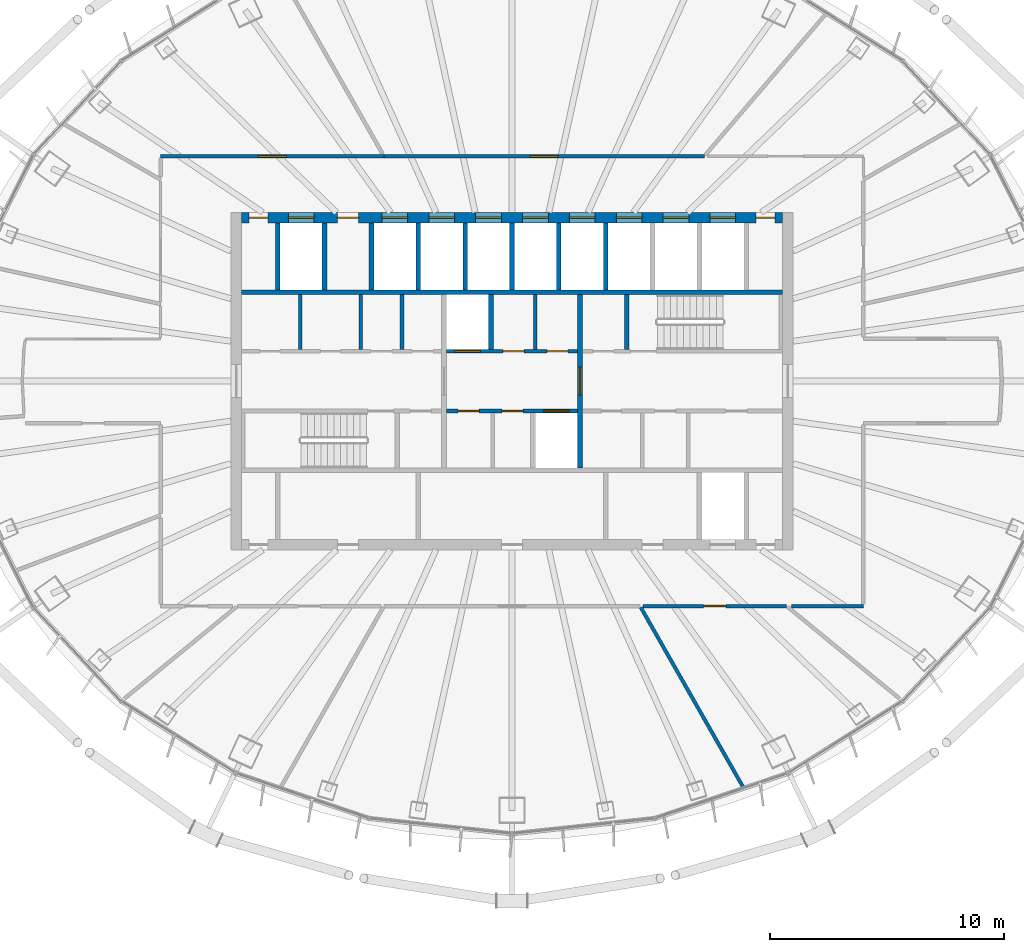
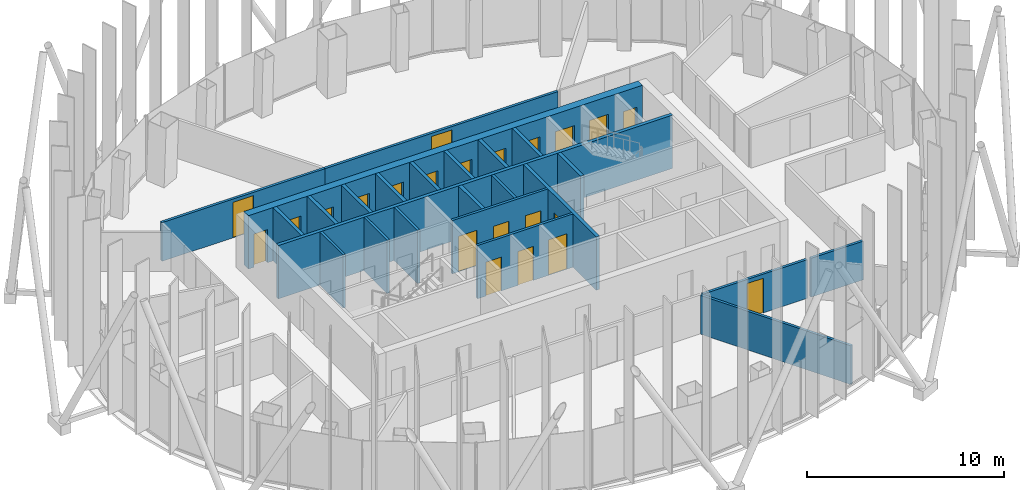
# One storey, part 10 of 19: 24 walls, 22 doors, 22 openings.
"""IFC4 building model written with IfcOpenShell, lengths in metres."""

from ifc_helpers import new_model, si_unit, direction, frame, frame_2d, origin, place, context, subcontext, project, spatial, rectangle, extrude, material, layer, layer_set, type_object, element, fill, save


model = new_model("IFC4")

# Units and contexts
model_context = context("Model", 3, precision=1e-05, world=origin(), true_north=direction((0.0, 1.0)))
body_context = subcontext(model_context, "Body", "Model", "MODEL_VIEW")
ifc_project = project(units=[si_unit("LENGTHUNIT", "METRE"), si_unit("AREAUNIT", "SQUARE_METRE"), si_unit("VOLUMEUNIT", "CUBIC_METRE"), si_unit("PLANEANGLEUNIT", "RADIAN"), si_unit("MASSUNIT", "GRAM", prefix="KILO")], contexts=[model_context])

# Site, building, storey
site_placement = place(None, origin())
site = spatial("IfcSite", under=ifc_project, at=site_placement, CompositionType="ELEMENT")
building_placement = place(site_placement, origin())
building = spatial("IfcBuilding", under=site, at=building_placement, Name="Siaravel Broadcast Tower", CompositionType="ELEMENT")
storey_placement = place(building_placement, frame((0.0, 0.0, 168.199951171875)))
storey = spatial("IfcBuildingStorey", under=building, at=storey_placement, Name="L40", CompositionType="ELEMENT", Elevation=168.199951171875)

# Walls
ifc_material_1 = material(Name="Concrete blockwork", Category="masonry")
ifc_layer_1 = layer(ifc_material_1, 0.14990234375)
ifc_layer_set_1 = layer_set([ifc_layer_1], Name="Concrete blockwork")
wall_type_1 = type_object("IfcWallType", Name="Core partition 150", PredefinedType="PARTITIONING", material=ifc_layer_set_1)
for number, where, z_axis, x_axis, name in (
    (1, (-9.044921875, 1.35009765625, 0.0), (0.0, 0.0, 1.0), (0.0, 1.0, 0.0), "L40 core partition PNW0"),
    (2, (-6.465087890625, 1.35009765625, 0.0), (0.0, 0.0, 1.0), (0.0, 1.0, 0.0), "L40 core partition PNW1"),
    (3, (-4.695068359375, 1.35009765625, 0.0), (0.0, 0.0, 1.0), (0.0, 1.0, 0.0), "L40 core partition PNW2"),
    (4, (1.0, 1.35009765625, 0.0), (0.0, 0.0, 1.0), (0.0, 1.0, 0.0), "L40 core partition PNM0"),
):
    element("IfcWall", number, at=place(storey_placement, frame(where, z_axis=z_axis, x_axis=x_axis)), inside=storey, type_object=wall_type_1, Name=name, PredefinedType="PARTITIONING", context=body_context, shape_type="SweptSolid", body=[
        extrude(rectangle(XDim=2.349853515625, YDim=0.14990234375, at=frame_2d((1.1748046875, 0.0))), origin(), (0.0, 0.0, 1.0), 3.300048828125),
    ])

# Wall, openings, doors
ifc_material_2 = material(Name="Concrete C60/75", Category="concrete")
ifc_layer_2 = layer(ifc_material_2, 0.449951171875)
ifc_layer_set_2 = layer_set([ifc_layer_2], Name="Concrete C60/75")
wall_type_2 = type_object("IfcWallType", Name="Core wall 450", PredefinedType="SHEAR", material=ifc_layer_set_2)
wall_1_placement = place(storey_placement, frame((-11.550048828125, 6.97509765625, 0.0), z_axis=(0.0, 0.0, 1.0), x_axis=(1.0, 0.0, 0.0)))
wall_1 = element("IfcWall", 5, at=wall_1_placement, inside=storey, type_object=wall_type_2, Name="L40 core wall ON", PredefinedType="SHEAR", context=body_context, shape_type="SweptSolid", body=[
    extrude(rectangle(XDim=23.10009765625, YDim=0.449951171875, at=frame_2d((11.550048828125, 0.0))), origin(), (0.0, 0.0, 1.0), 3.300048828125),
])
opening_1_placement = place(wall_1_placement, frame((2.0, 0.0, 0.0)))
opening_1 = element("IfcOpeningElement", 6, at=opening_1_placement, cuts=wall_1, Name="Opening LD-SV2-L40", PredefinedType="OPENING", context=body_context, shape_type="SweptSolid", body=[
    extrude(rectangle(XDim=1.10009765625, YDim=2.199951171875, at=frame_2d((0.550048828125, 1.10009765625))), frame((0.0, 0.23486328125, 0.0), z_axis=(0.0, -1.0, 0.0), x_axis=(1.0, 0.0, 0.0)), (0.0, 0.0, 1.0), 0.469970703125),
])
opening_2_placement = place(wall_1_placement, frame((6.0, 0.0, 0.0)))
opening_2 = element("IfcOpeningElement", 7, at=opening_2_placement, cuts=wall_1, Name="Opening LD-HP1-L40", PredefinedType="OPENING", context=body_context, shape_type="SweptSolid", body=[
    extrude(rectangle(XDim=1.10009765625, YDim=2.199951171875, at=frame_2d((0.550048828125, 1.10009765625))), frame((0.0, 0.23486328125, 0.0), z_axis=(0.0, -1.0, 0.0), x_axis=(1.0, 0.0, 0.0)), (0.0, 0.0, 1.0), 0.469970703125),
])
opening_3_placement = place(wall_1_placement, frame((8.0, 0.0, 0.0)))
opening_3 = element("IfcOpeningElement", 8, at=opening_3_placement, cuts=wall_1, Name="Opening LD-HP2-L40", PredefinedType="OPENING", context=body_context, shape_type="SweptSolid", body=[
    extrude(rectangle(XDim=1.10009765625, YDim=2.199951171875, at=frame_2d((0.550048828125, 1.10009765625))), frame((0.0, 0.23486328125, 0.0), z_axis=(0.0, -1.0, 0.0), x_axis=(1.0, 0.0, 0.0)), (0.0, 0.0, 1.0), 0.469970703125),
])
opening_4_placement = place(wall_1_placement, frame((10.0, 0.0, 0.0)))
opening_4 = element("IfcOpeningElement", 9, at=opening_4_placement, cuts=wall_1, Name="Opening LD-HP3-L40", PredefinedType="OPENING", context=body_context, shape_type="SweptSolid", body=[
    extrude(rectangle(XDim=1.10009765625, YDim=2.199951171875, at=frame_2d((0.550048828125, 1.10009765625))), frame((0.0, 0.23486328125, 0.0), z_axis=(0.0, -1.0, 0.0), x_axis=(1.0, 0.0, 0.0)), (0.0, 0.0, 1.0), 0.469970703125),
])
opening_5_placement = place(wall_1_placement, frame((12.0, 0.0, 0.0)))
opening_5 = element("IfcOpeningElement", 10, at=opening_5_placement, cuts=wall_1, Name="Opening LD-HP4-L40", PredefinedType="OPENING", context=body_context, shape_type="SweptSolid", body=[
    extrude(rectangle(XDim=1.10009765625, YDim=2.199951171875, at=frame_2d((0.550048828125, 1.10009765625))), frame((0.0, 0.23486328125, 0.0), z_axis=(0.0, -1.0, 0.0), x_axis=(1.0, 0.0, 0.0)), (0.0, 0.0, 1.0), 0.469970703125),
])
opening_6_placement = place(wall_1_placement, frame((14.0, 0.0, 0.0)))
opening_6 = element("IfcOpeningElement", 11, at=opening_6_placement, cuts=wall_1, Name="Opening LD-HP5-L40", PredefinedType="OPENING", context=body_context, shape_type="SweptSolid", body=[
    extrude(rectangle(XDim=1.10009765625, YDim=2.199951171875, at=frame_2d((0.550048828125, 1.10009765625))), frame((0.0, 0.23486328125, 0.0), z_axis=(0.0, -1.0, 0.0), x_axis=(1.0, 0.0, 0.0)), (0.0, 0.0, 1.0), 0.469970703125),
])
opening_7_placement = place(wall_1_placement, frame((16.0, 0.0, 0.0)))
opening_7 = element("IfcOpeningElement", 12, at=opening_7_placement, cuts=wall_1, Name="Opening LD-HP6-L40", PredefinedType="OPENING", context=body_context, shape_type="SweptSolid", body=[
    extrude(rectangle(XDim=1.10009765625, YDim=2.199951171875, at=frame_2d((0.550048828125, 1.10009765625))), frame((0.0, 0.23486328125, 0.0), z_axis=(0.0, -1.0, 0.0), x_axis=(1.0, 0.0, 0.0)), (0.0, 0.0, 1.0), 0.469970703125),
])
opening_8_placement = place(wall_1_placement, frame((18.0, 0.0, 0.0)))
opening_8 = element("IfcOpeningElement", 13, at=opening_8_placement, cuts=wall_1, Name="Opening LD-HP7-L40", PredefinedType="OPENING", context=body_context, shape_type="SweptSolid", body=[
    extrude(rectangle(XDim=1.10009765625, YDim=2.199951171875, at=frame_2d((0.550048828125, 1.10009765625))), frame((0.0, 0.23486328125, 0.0), z_axis=(0.0, -1.0, 0.0), x_axis=(1.0, 0.0, 0.0)), (0.0, 0.0, 1.0), 0.469970703125),
])
opening_9_placement = place(wall_1_placement, frame((20.0, 0.0, 0.0)))
opening_9 = element("IfcOpeningElement", 14, at=opening_9_placement, cuts=wall_1, Name="Opening LD-HP8-L40", PredefinedType="OPENING", context=body_context, shape_type="SweptSolid", body=[
    extrude(rectangle(XDim=1.10009765625, YDim=2.199951171875, at=frame_2d((0.550048828125, 1.10009765625))), frame((0.0, 0.23486328125, 0.0), z_axis=(0.0, -1.0, 0.0), x_axis=(1.0, 0.0, 0.0)), (0.0, 0.0, 1.0), 0.469970703125),
])
opening_10_placement = place(wall_1_placement, frame((4.10009765625, 0.0, 0.0)))
opening_10 = element("IfcOpeningElement", 15, at=opening_10_placement, cuts=wall_1, Name="Opening L40-DFN1", PredefinedType="OPENING", context=body_context, shape_type="SweptSolid", body=[
    extrude(rectangle(XDim=0.89990234375, YDim=2.10009765625, at=frame_2d((0.449951171875, 1.050048828125))), frame((0.0, 0.23486328125, 0.0), z_axis=(0.0, -1.0, 0.0), x_axis=(1.0, 0.0, 0.0)), (0.0, 0.0, 1.0), 0.469970703125),
])
opening_11_placement = place(wall_1_placement, frame((0.324951171875, 0.0, 0.0)))
opening_11 = element("IfcOpeningElement", 16, at=opening_11_placement, cuts=wall_1, Name="Opening L40-DRNW", PredefinedType="OPENING", context=body_context, shape_type="SweptSolid", body=[
    extrude(rectangle(XDim=0.800048828125, YDim=2.050048828125, at=frame_2d((0.39990234375, 1.02490234375))), frame((0.0, 0.23486328125, 0.0), z_axis=(0.0, -1.0, 0.0), x_axis=(1.0, 0.0, 0.0)), (0.0, 0.0, 1.0), 0.469970703125),
])
opening_12_placement = place(wall_1_placement, frame((21.97509765625, 0.0, 0.0)))
opening_12 = element("IfcOpeningElement", 17, at=opening_12_placement, cuts=wall_1, Name="Opening L40-DRNE", PredefinedType="OPENING", context=body_context, shape_type="SweptSolid", body=[
    extrude(rectangle(XDim=0.800048828125, YDim=2.050048828125, at=frame_2d((0.39990234375, 1.02490234375))), frame((0.0, 0.23486328125, 0.0), z_axis=(0.0, -1.0, 0.0), x_axis=(1.0, 0.0, 0.0)), (0.0, 0.0, 1.0), 0.469970703125),
])
ifc_material_3 = material(Name="Timber veneer", Category="wood")
door_type_1 = type_object("IfcDoorType", Name="Core room door 900", OperationType="SINGLE_SWING_LEFT", PredefinedType="DOOR", material=ifc_material_3)
door_1_placement = place(opening_10_placement, origin())
door_1 = element("IfcDoor", 18, at=door_1_placement, inside=storey, type_object=door_type_1, Name="L40 door DFN1", OperationType="SINGLE_SWING_LEFT", OverallHeight=2.10009765625, OverallWidth=0.89990234375, PredefinedType="DOOR", context=body_context, shape_type="SweptSolid", body=[
    extrude(rectangle(XDim=0.89990234375, YDim=2.10009765625, at=frame_2d((0.449951171875, 1.050048828125))), frame((0.0, 0.02490234375, 0.0), z_axis=(0.0, -1.0, 0.0), x_axis=(1.0, 0.0, 0.0)), (0.0, 0.0, 1.0), 0.050048828125),
])
fill(opening_10, door_1)
ifc_material_4 = material(Name="Stainless steel 316L", Category="steel")
door_type_2 = type_object("IfcDoorType", Name="Lift landing door 1100", OperationType="DOUBLE_DOOR_SLIDING", PredefinedType="DOOR", material=ifc_material_4)
door_2_placement = place(opening_2_placement, origin())
door_2 = element("IfcDoor", 19, at=door_2_placement, inside=storey, type_object=door_type_2, Name="Landing door HP1 L40", OperationType="DOUBLE_DOOR_SLIDING", OverallHeight=2.199951171875, OverallWidth=1.10009765625, PredefinedType="DOOR", context=body_context, shape_type="SweptSolid", body=[
    extrude(rectangle(XDim=1.10009765625, YDim=2.199951171875, at=frame_2d((0.550048828125, 1.10009765625))), frame((0.0, 0.02490234375, 0.0), z_axis=(0.0, -1.0, 0.0), x_axis=(1.0, 0.0, 0.0)), (0.0, 0.0, 1.0), 0.050048828125),
])
fill(opening_2, door_2)
door_3_placement = place(opening_3_placement, origin())
door_3 = element("IfcDoor", 20, at=door_3_placement, inside=storey, type_object=door_type_2, Name="Landing door HP2 L40", OperationType="DOUBLE_DOOR_SLIDING", OverallHeight=2.199951171875, OverallWidth=1.10009765625, PredefinedType="DOOR", context=body_context, shape_type="SweptSolid", body=[
    extrude(rectangle(XDim=1.10009765625, YDim=2.199951171875, at=frame_2d((0.550048828125, 1.10009765625))), frame((0.0, 0.02490234375, 0.0), z_axis=(0.0, -1.0, 0.0), x_axis=(1.0, 0.0, 0.0)), (0.0, 0.0, 1.0), 0.050048828125),
])
fill(opening_3, door_3)
door_4_placement = place(opening_4_placement, origin())
door_4 = element("IfcDoor", 21, at=door_4_placement, inside=storey, type_object=door_type_2, Name="Landing door HP3 L40", OperationType="DOUBLE_DOOR_SLIDING", OverallHeight=2.199951171875, OverallWidth=1.10009765625, PredefinedType="DOOR", context=body_context, shape_type="SweptSolid", body=[
    extrude(rectangle(XDim=1.10009765625, YDim=2.199951171875, at=frame_2d((0.550048828125, 1.10009765625))), frame((0.0, 0.02490234375, 0.0), z_axis=(0.0, -1.0, 0.0), x_axis=(1.0, 0.0, 0.0)), (0.0, 0.0, 1.0), 0.050048828125),
])
fill(opening_4, door_4)
door_5_placement = place(opening_5_placement, origin())
door_5 = element("IfcDoor", 22, at=door_5_placement, inside=storey, type_object=door_type_2, Name="Landing door HP4 L40", OperationType="DOUBLE_DOOR_SLIDING", OverallHeight=2.199951171875, OverallWidth=1.10009765625, PredefinedType="DOOR", context=body_context, shape_type="SweptSolid", body=[
    extrude(rectangle(XDim=1.10009765625, YDim=2.199951171875, at=frame_2d((0.550048828125, 1.10009765625))), frame((0.0, 0.02490234375, 0.0), z_axis=(0.0, -1.0, 0.0), x_axis=(1.0, 0.0, 0.0)), (0.0, 0.0, 1.0), 0.050048828125),
])
fill(opening_5, door_5)
door_6_placement = place(opening_6_placement, origin())
door_6 = element("IfcDoor", 23, at=door_6_placement, inside=storey, type_object=door_type_2, Name="Landing door HP5 L40", OperationType="DOUBLE_DOOR_SLIDING", OverallHeight=2.199951171875, OverallWidth=1.10009765625, PredefinedType="DOOR", context=body_context, shape_type="SweptSolid", body=[
    extrude(rectangle(XDim=1.10009765625, YDim=2.199951171875, at=frame_2d((0.550048828125, 1.10009765625))), frame((0.0, 0.02490234375, 0.0), z_axis=(0.0, -1.0, 0.0), x_axis=(1.0, 0.0, 0.0)), (0.0, 0.0, 1.0), 0.050048828125),
])
fill(opening_6, door_6)
door_7_placement = place(opening_7_placement, origin())
door_7 = element("IfcDoor", 24, at=door_7_placement, inside=storey, type_object=door_type_2, Name="Landing door HP6 L40", OperationType="DOUBLE_DOOR_SLIDING", OverallHeight=2.199951171875, OverallWidth=1.10009765625, PredefinedType="DOOR", context=body_context, shape_type="SweptSolid", body=[
    extrude(rectangle(XDim=1.10009765625, YDim=2.199951171875, at=frame_2d((0.550048828125, 1.10009765625))), frame((0.0, 0.02490234375, 0.0), z_axis=(0.0, -1.0, 0.0), x_axis=(1.0, 0.0, 0.0)), (0.0, 0.0, 1.0), 0.050048828125),
])
fill(opening_7, door_7)
door_8_placement = place(opening_8_placement, origin())
door_8 = element("IfcDoor", 25, at=door_8_placement, inside=storey, type_object=door_type_2, Name="Landing door HP7 L40", OperationType="DOUBLE_DOOR_SLIDING", OverallHeight=2.199951171875, OverallWidth=1.10009765625, PredefinedType="DOOR", context=body_context, shape_type="SweptSolid", body=[
    extrude(rectangle(XDim=1.10009765625, YDim=2.199951171875, at=frame_2d((0.550048828125, 1.10009765625))), frame((0.0, 0.02490234375, 0.0), z_axis=(0.0, -1.0, 0.0), x_axis=(1.0, 0.0, 0.0)), (0.0, 0.0, 1.0), 0.050048828125),
])
fill(opening_8, door_8)
door_9_placement = place(opening_9_placement, origin())
door_9 = element("IfcDoor", 26, at=door_9_placement, inside=storey, type_object=door_type_2, Name="Landing door HP8 L40", OperationType="DOUBLE_DOOR_SLIDING", OverallHeight=2.199951171875, OverallWidth=1.10009765625, PredefinedType="DOOR", context=body_context, shape_type="SweptSolid", body=[
    extrude(rectangle(XDim=1.10009765625, YDim=2.199951171875, at=frame_2d((0.550048828125, 1.10009765625))), frame((0.0, 0.02490234375, 0.0), z_axis=(0.0, -1.0, 0.0), x_axis=(1.0, 0.0, 0.0)), (0.0, 0.0, 1.0), 0.050048828125),
])
fill(opening_9, door_9)
ifc_material_5 = material(Name="Steel", Category="steel")
door_type_3 = type_object("IfcDoorType", Name="Riser door 800", OperationType="SINGLE_SWING_LEFT", PredefinedType="DOOR", material=ifc_material_5)
door_10_placement = place(opening_11_placement, origin())
door_10 = element("IfcDoor", 27, at=door_10_placement, inside=storey, type_object=door_type_3, Name="L40 door DRNW", OperationType="SINGLE_SWING_LEFT", OverallHeight=2.050048828125, OverallWidth=0.800048828125, PredefinedType="DOOR", context=body_context, shape_type="SweptSolid", body=[
    extrude(rectangle(XDim=0.800048828125, YDim=2.050048828125, at=frame_2d((0.39990234375, 1.02490234375))), frame((0.0, 0.02490234375, 0.0), z_axis=(0.0, -1.0, 0.0), x_axis=(1.0, 0.0, 0.0)), (0.0, 0.0, 1.0), 0.050048828125),
])
fill(opening_11, door_10)
door_11_placement = place(opening_12_placement, origin())
door_11 = element("IfcDoor", 28, at=door_11_placement, inside=storey, type_object=door_type_3, Name="L40 door DRNE", OperationType="SINGLE_SWING_LEFT", OverallHeight=2.050048828125, OverallWidth=0.800048828125, PredefinedType="DOOR", context=body_context, shape_type="SweptSolid", body=[
    extrude(rectangle(XDim=0.800048828125, YDim=2.050048828125, at=frame_2d((0.39990234375, 1.02490234375))), frame((0.0, 0.02490234375, 0.0), z_axis=(0.0, -1.0, 0.0), x_axis=(1.0, 0.0, 0.0)), (0.0, 0.0, 1.0), 0.050048828125),
])
fill(opening_12, door_11)
door_type_4 = type_object("IfcDoorType", Name="Service lift landing door 1100", OperationType="DOUBLE_DOOR_SLIDING", PredefinedType="DOOR", material=ifc_material_4)
door_12_placement = place(opening_1_placement, origin())
door_12 = element("IfcDoor", 29, at=door_12_placement, inside=storey, type_object=door_type_4, Name="Landing door SV2 L40", OperationType="DOUBLE_DOOR_SLIDING", OverallHeight=2.199951171875, OverallWidth=1.10009765625, PredefinedType="DOOR", context=body_context, shape_type="SweptSolid", body=[
    extrude(rectangle(XDim=1.10009765625, YDim=2.199951171875, at=frame_2d((0.550048828125, 1.10009765625))), frame((0.0, 0.02490234375, 0.0), z_axis=(0.0, -1.0, 0.0), x_axis=(1.0, 0.0, 0.0)), (0.0, 0.0, 1.0), 0.050048828125),
])
fill(opening_1, door_12)

# Wall, opening, door
ifc_material_6 = material(Name="Gypsum board partition", Category="gypsum")
ifc_layer_3 = layer(ifc_material_6, 0.14990234375)
ifc_layer_set_3 = layer_set([ifc_layer_3], Name="Gypsum board partition")
wall_type_3 = type_object("IfcWallType", Name="Corridor wall 150", PredefinedType="PARTITIONING", material=ifc_layer_set_3)
wall_2_placement = place(storey_placement, frame((8.206298828125, 9.60009765625, 0.0), z_axis=(0.0, 0.0, 1.0), x_axis=(-1.0, 0.0, 0.0)))
wall_2 = element("IfcWall", 30, at=wall_2_placement, inside=storey, type_object=wall_type_3, Name="L40 partition 1", PredefinedType="PARTITIONING", context=body_context, shape_type="SweptSolid", body=[
    extrude(rectangle(XDim=13.67138671875, YDim=0.14990234375, at=frame_2d((6.835693359375, 0.0))), origin(), (0.0, 0.0, 1.0), 2.400146484375),
])
opening_13_placement = place(wall_2_placement, frame((6.23583984375, 0.0, 0.0)))
opening_13 = element("IfcOpeningElement", 31, at=opening_13_placement, cuts=wall_2, Name="Opening L40-008", PredefinedType="OPENING", context=body_context, shape_type="SweptSolid", body=[
    extrude(rectangle(XDim=1.199951171875, YDim=2.199951171875, at=frame_2d((0.60009765625, 1.10009765625))), frame((0.0, 0.0849609375, 0.0), z_axis=(0.0, -1.0, 0.0), x_axis=(1.0, 0.0, 0.0)), (0.0, 0.0, 1.0), 0.169921875),
])
door_type_5 = type_object("IfcDoorType", Name="Office double door 1200", OperationType="DOUBLE_DOOR_SINGLE_SWING", PredefinedType="DOOR", material=ifc_material_3)
door_13_placement = place(opening_13_placement, origin())
door_13 = element("IfcDoor", 32, at=door_13_placement, inside=storey, type_object=door_type_5, Name="L40 door to Open plan office", OperationType="DOUBLE_DOOR_SINGLE_SWING", OverallHeight=2.199951171875, OverallWidth=1.199951171875, PredefinedType="DOOR", context=body_context, shape_type="SweptSolid", body=[
    extrude(rectangle(XDim=1.199951171875, YDim=2.199951171875, at=frame_2d((0.60009765625, 1.10009765625))), frame((0.0, 0.02490234375, 0.0), z_axis=(0.0, -1.0, 0.0), x_axis=(1.0, 0.0, 0.0)), (0.0, 0.0, 1.0), 0.050048828125),
])
fill(opening_13, door_13)

wall_3_placement = place(storey_placement, frame((-5.46630859375, 9.60009765625, 0.0), z_axis=(0.0, 0.0, 1.0), x_axis=(-1.0, 0.0, 0.0)))
wall_3 = element("IfcWall", 33, at=wall_3_placement, inside=storey, type_object=wall_type_3, Name="L40 partition 3", PredefinedType="PARTITIONING", context=body_context, shape_type="SweptSolid", body=[
    extrude(rectangle(XDim=9.53369140625, YDim=0.14990234375, at=frame_2d((4.766845703125, 0.0))), origin(), (0.0, 0.0, 1.0), 2.400146484375),
])
opening_14_placement = place(wall_3_placement, frame((4.1669921875, 0.0, 0.0)))
opening_14 = element("IfcOpeningElement", 34, at=opening_14_placement, cuts=wall_3, Name="Opening L40-009", PredefinedType="OPENING", context=body_context, shape_type="SweptSolid", body=[
    extrude(rectangle(XDim=1.199951171875, YDim=2.199951171875, at=frame_2d((0.60009765625, 1.10009765625))), frame((0.0, 0.0849609375, 0.0), z_axis=(0.0, -1.0, 0.0), x_axis=(1.0, 0.0, 0.0)), (0.0, 0.0, 1.0), 0.169921875),
])
door_14_placement = place(opening_14_placement, origin())
door_14 = element("IfcDoor", 35, at=door_14_placement, inside=storey, type_object=door_type_5, Name="L40 door to Open plan office", OperationType="DOUBLE_DOOR_SINGLE_SWING", OverallHeight=2.199951171875, OverallWidth=1.199951171875, PredefinedType="DOOR", context=body_context, shape_type="SweptSolid", body=[
    extrude(rectangle(XDim=1.199951171875, YDim=2.199951171875, at=frame_2d((0.60009765625, 1.10009765625))), frame((0.0, 0.02490234375, 0.0), z_axis=(0.0, -1.0, 0.0), x_axis=(1.0, 0.0, 0.0)), (0.0, 0.0, 1.0), 0.050048828125),
])
fill(opening_14, door_14)

wall_4_placement = place(storey_placement, frame((5.59619140625, -9.60009765625, 0.0), z_axis=(0.0, 0.0, 1.0), x_axis=(1.0, 0.0, 0.0)))
wall_4 = element("IfcWall", 36, at=wall_4_placement, inside=storey, type_object=wall_type_3, Name="L40 partition 13", PredefinedType="PARTITIONING", context=body_context, shape_type="SweptSolid", body=[
    extrude(rectangle(XDim=6.123779296875, YDim=0.14990234375, at=frame_2d((3.06201171875, 0.0))), origin(), (0.0, 0.0, 1.0), 2.400146484375),
])
opening_15_placement = place(wall_4_placement, frame((2.5869140625, 0.0, 0.0)))
opening_15 = element("IfcOpeningElement", 37, at=opening_15_placement, cuts=wall_4, Name="Opening L40-003", PredefinedType="OPENING", context=body_context, shape_type="SweptSolid", body=[
    extrude(rectangle(XDim=0.949951171875, YDim=2.14990234375, at=frame_2d((0.47509765625, 1.074951171875))), frame((0.0, 0.0849609375, 0.0), z_axis=(0.0, -1.0, 0.0), x_axis=(1.0, 0.0, 0.0)), (0.0, 0.0, 1.0), 0.169921875),
])
door_type_6 = type_object("IfcDoorType", Name="Office door 950", OperationType="SINGLE_SWING_LEFT", PredefinedType="DOOR", material=ifc_material_3)
door_15_placement = place(opening_15_placement, origin())
door_15 = element("IfcDoor", 38, at=door_15_placement, inside=storey, type_object=door_type_6, Name="L40 door to Office", OperationType="SINGLE_SWING_LEFT", OverallHeight=2.14990234375, OverallWidth=0.949951171875, PredefinedType="DOOR", context=body_context, shape_type="SweptSolid", body=[
    extrude(rectangle(XDim=0.949951171875, YDim=2.14990234375, at=frame_2d((0.47509765625, 1.074951171875))), frame((0.0, 0.02490234375, 0.0), z_axis=(0.0, -1.0, 0.0), x_axis=(1.0, 0.0, 0.0)), (0.0, 0.0, 1.0), 0.050048828125),
])
fill(opening_15, door_15)

# Walls
wall_5_placement = place(storey_placement, frame((11.931884765625, -9.60009765625, 0.0), z_axis=(0.0, 0.0, 1.0), x_axis=(1.0, 0.0, 0.0)))
element("IfcWall", 39, at=wall_5_placement, inside=storey, type_object=wall_type_3, Name="L40 partition 27", PredefinedType="PARTITIONING", context=body_context, shape_type="SweptSolid", body=[
    extrude(rectangle(XDim=3.068115234375, YDim=0.14990234375, at=frame_2d((1.5341796875, 0.0))), origin(), (0.0, 0.0, 1.0), 2.400146484375),
])
ifc_layer_4 = layer(ifc_material_6, 0.14990234375)
ifc_layer_set_4 = layer_set([ifc_layer_4], Name="Gypsum board partition")
wall_type_4 = type_object("IfcWallType", Name="Room partition 150", PredefinedType="PARTITIONING", material=ifc_layer_set_4)
wall_6_placement = place(storey_placement, frame((9.88330078125, -17.360595703125, 0.0), z_axis=(0.0, 0.0, 1.0), x_axis=(-0.494758879, 0.869030294, 0.0)))
element("IfcWall", 40, at=wall_6_placement, inside=storey, type_object=wall_type_4, Name="L40 partition 6", PredefinedType="PARTITIONING", context=body_context, shape_type="SweptSolid", body=[
    extrude(rectangle(XDim=8.863037109375, YDim=0.14990234375, at=frame_2d((4.431640625, 0.0))), origin(), (0.0, 0.0, 1.0), 2.400146484375),
])

# Wall, openings, doors
ifc_layer_5 = layer(ifc_material_2, 0.14990234375)
ifc_layer_set_5 = layer_set([ifc_layer_5], Name="Concrete C60/75")
wall_type_5 = type_object("IfcWallType", Name="Shaft wall 150", PredefinedType="SHEAR", material=ifc_layer_set_5)
wall_7_placement = place(storey_placement, frame((-2.800048828125, -1.27490234375, 0.0), z_axis=(0.0, 0.0, 1.0), x_axis=(1.0, 0.0, 0.0)))
wall_7 = element("IfcWall", 41, at=wall_7_placement, inside=storey, type_object=wall_type_5, Name="L40 core wall CSM", PredefinedType="SHEAR", context=body_context, shape_type="SweptSolid", body=[
    extrude(rectangle(XDim=5.60009765625, YDim=0.14990234375, at=frame_2d((2.800048828125, 0.0))), origin(), (0.0, 0.0, 1.0), 3.300048828125),
])
opening_16_placement = place(wall_7_placement, frame((4.14990234375, 0.0, 0.0)))
opening_16 = element("IfcOpeningElement", 42, at=opening_16_placement, cuts=wall_7, Name="Opening LD-FL2-L40", PredefinedType="OPENING", context=body_context, shape_type="SweptSolid", body=[
    extrude(rectangle(XDim=1.10009765625, YDim=2.199951171875, at=frame_2d((0.550048828125, 1.10009765625))), frame((0.0, 0.0849609375, 0.0), z_axis=(0.0, -1.0, 0.0), x_axis=(1.0, 0.0, 0.0)), (0.0, 0.0, 1.0), 0.169921875),
])
opening_17_placement = place(wall_7_placement, frame((0.498779296875, 0.0, 0.0)))
opening_17 = element("IfcOpeningElement", 43, at=opening_17_placement, cuts=wall_7, Name="Opening L40-DSM0", PredefinedType="OPENING", context=body_context, shape_type="SweptSolid", body=[
    extrude(rectangle(XDim=0.89990234375, YDim=2.10009765625, at=frame_2d((0.449951171875, 1.050048828125))), frame((0.0, 0.0849609375, 0.0), z_axis=(0.0, -1.0, 0.0), x_axis=(1.0, 0.0, 0.0)), (0.0, 0.0, 1.0), 0.169921875),
])
opening_18_placement = place(wall_7_placement, frame((2.373779296875, 0.0, 0.0)))
opening_18 = element("IfcOpeningElement", 44, at=opening_18_placement, cuts=wall_7, Name="Opening L40-DSM1", PredefinedType="OPENING", context=body_context, shape_type="SweptSolid", body=[
    extrude(rectangle(XDim=0.89990234375, YDim=2.10009765625, at=frame_2d((0.449951171875, 1.050048828125))), frame((0.0, 0.0849609375, 0.0), z_axis=(0.0, -1.0, 0.0), x_axis=(1.0, 0.0, 0.0)), (0.0, 0.0, 1.0), 0.169921875),
])
door_16_placement = place(opening_17_placement, origin())
door_16 = element("IfcDoor", 45, at=door_16_placement, inside=storey, type_object=door_type_1, Name="L40 door DSM0", OperationType="SINGLE_SWING_LEFT", OverallHeight=2.10009765625, OverallWidth=0.89990234375, PredefinedType="DOOR", context=body_context, shape_type="SweptSolid", body=[
    extrude(rectangle(XDim=0.89990234375, YDim=2.10009765625, at=frame_2d((0.449951171875, 1.050048828125))), frame((0.0, 0.02490234375, 0.0), z_axis=(0.0, -1.0, 0.0), x_axis=(1.0, 0.0, 0.0)), (0.0, 0.0, 1.0), 0.050048828125),
])
fill(opening_17, door_16)
door_17_placement = place(opening_18_placement, origin())
door_17 = element("IfcDoor", 46, at=door_17_placement, inside=storey, type_object=door_type_1, Name="L40 door DSM1", OperationType="SINGLE_SWING_LEFT", OverallHeight=2.10009765625, OverallWidth=0.89990234375, PredefinedType="DOOR", context=body_context, shape_type="SweptSolid", body=[
    extrude(rectangle(XDim=0.89990234375, YDim=2.10009765625, at=frame_2d((0.449951171875, 1.050048828125))), frame((0.0, 0.02490234375, 0.0), z_axis=(0.0, -1.0, 0.0), x_axis=(1.0, 0.0, 0.0)), (0.0, 0.0, 1.0), 0.050048828125),
])
fill(opening_18, door_17)
door_type_7 = type_object("IfcDoorType", Name="Firefighting lift landing door 1100", OperationType="DOUBLE_DOOR_SLIDING", PredefinedType="DOOR", material=ifc_material_4)
door_18_placement = place(opening_16_placement, origin())
door_18 = element("IfcDoor", 47, at=door_18_placement, inside=storey, type_object=door_type_7, Name="Landing door FL2 L40", OperationType="DOUBLE_DOOR_SLIDING", OverallHeight=2.199951171875, OverallWidth=1.10009765625, PredefinedType="DOOR", context=body_context, shape_type="SweptSolid", body=[
    extrude(rectangle(XDim=1.10009765625, YDim=2.199951171875, at=frame_2d((0.550048828125, 1.10009765625))), frame((0.0, 0.02490234375, 0.0), z_axis=(0.0, -1.0, 0.0), x_axis=(1.0, 0.0, 0.0)), (0.0, 0.0, 1.0), 0.050048828125),
])
fill(opening_16, door_18)

wall_8_placement = place(storey_placement, frame((-2.800048828125, 1.27490234375, 0.0), z_axis=(0.0, 0.0, 1.0), x_axis=(1.0, 0.0, 0.0)))
wall_8 = element("IfcWall", 48, at=wall_8_placement, inside=storey, type_object=wall_type_5, Name="L40 core wall CNM", PredefinedType="SHEAR", context=body_context, shape_type="SweptSolid", body=[
    extrude(rectangle(XDim=5.60009765625, YDim=0.14990234375, at=frame_2d((2.800048828125, 0.0))), origin(), (0.0, 0.0, 1.0), 3.300048828125),
])
opening_19_placement = place(wall_8_placement, frame((0.35009765625, 0.0, 0.0)))
opening_19 = element("IfcOpeningElement", 49, at=opening_19_placement, cuts=wall_8, Name="Opening LD-FL1-L40", PredefinedType="OPENING", context=body_context, shape_type="SweptSolid", body=[
    extrude(rectangle(XDim=1.10009765625, YDim=2.199951171875, at=frame_2d((0.550048828125, 1.10009765625))), frame((0.0, 0.0849609375, 0.0), z_axis=(0.0, -1.0, 0.0), x_axis=(1.0, 0.0, 0.0)), (0.0, 0.0, 1.0), 0.169921875),
])
opening_20_placement = place(wall_8_placement, frame((2.41259765625, 0.0, 0.0)))
opening_20 = element("IfcOpeningElement", 50, at=opening_20_placement, cuts=wall_8, Name="Opening L40-DNM0", PredefinedType="OPENING", context=body_context, shape_type="SweptSolid", body=[
    extrude(rectangle(XDim=0.89990234375, YDim=2.10009765625, at=frame_2d((0.449951171875, 1.050048828125))), frame((0.0, 0.0849609375, 0.0), z_axis=(0.0, -1.0, 0.0), x_axis=(1.0, 0.0, 0.0)), (0.0, 0.0, 1.0), 0.169921875),
])
opening_21_placement = place(wall_8_placement, frame((4.28759765625, 0.0, 0.0)))
opening_21 = element("IfcOpeningElement", 51, at=opening_21_placement, cuts=wall_8, Name="Opening L40-DNM1", PredefinedType="OPENING", context=body_context, shape_type="SweptSolid", body=[
    extrude(rectangle(XDim=0.89990234375, YDim=2.10009765625, at=frame_2d((0.449951171875, 1.050048828125))), frame((0.0, 0.0849609375, 0.0), z_axis=(0.0, -1.0, 0.0), x_axis=(1.0, 0.0, 0.0)), (0.0, 0.0, 1.0), 0.169921875),
])
door_19_placement = place(opening_20_placement, origin())
door_19 = element("IfcDoor", 52, at=door_19_placement, inside=storey, type_object=door_type_1, Name="L40 door DNM0", OperationType="SINGLE_SWING_LEFT", OverallHeight=2.10009765625, OverallWidth=0.89990234375, PredefinedType="DOOR", context=body_context, shape_type="SweptSolid", body=[
    extrude(rectangle(XDim=0.89990234375, YDim=2.10009765625, at=frame_2d((0.449951171875, 1.050048828125))), frame((0.0, 0.02490234375, 0.0), z_axis=(0.0, -1.0, 0.0), x_axis=(1.0, 0.0, 0.0)), (0.0, 0.0, 1.0), 0.050048828125),
])
fill(opening_20, door_19)
door_20_placement = place(opening_21_placement, origin())
door_20 = element("IfcDoor", 53, at=door_20_placement, inside=storey, type_object=door_type_1, Name="L40 door DNM1", OperationType="SINGLE_SWING_LEFT", OverallHeight=2.10009765625, OverallWidth=0.89990234375, PredefinedType="DOOR", context=body_context, shape_type="SweptSolid", body=[
    extrude(rectangle(XDim=0.89990234375, YDim=2.10009765625, at=frame_2d((0.449951171875, 1.050048828125))), frame((0.0, 0.02490234375, 0.0), z_axis=(0.0, -1.0, 0.0), x_axis=(1.0, 0.0, 0.0)), (0.0, 0.0, 1.0), 0.050048828125),
])
fill(opening_21, door_20)
door_21_placement = place(opening_19_placement, origin())
door_21 = element("IfcDoor", 54, at=door_21_placement, inside=storey, type_object=door_type_7, Name="Landing door FL1 L40", OperationType="DOUBLE_DOOR_SLIDING", OverallHeight=2.199951171875, OverallWidth=1.10009765625, PredefinedType="DOOR", context=body_context, shape_type="SweptSolid", body=[
    extrude(rectangle(XDim=1.10009765625, YDim=2.199951171875, at=frame_2d((0.550048828125, 1.10009765625))), frame((0.0, 0.02490234375, 0.0), z_axis=(0.0, -1.0, 0.0), x_axis=(1.0, 0.0, 0.0)), (0.0, 0.0, 1.0), 0.050048828125),
])
fill(opening_19, door_21)

# Walls
ifc_layer_6 = layer(ifc_material_2, 0.199951171875)
ifc_layer_set_6 = layer_set([ifc_layer_6], Name="Concrete C60/75")
wall_type_6 = type_object("IfcWallType", Name="Shaft wall 200", PredefinedType="SHEAR", material=ifc_layer_set_6)
wall_9_placement = place(storey_placement, frame((-11.550048828125, 3.800048828125, 0.0), z_axis=(0.0, 0.0, 1.0), x_axis=(1.0, 0.0, 0.0)))
element("IfcWall", 55, at=wall_9_placement, inside=storey, type_object=wall_type_6, Name="L40 core wall BN", PredefinedType="SHEAR", context=body_context, shape_type="SweptSolid", body=[
    extrude(rectangle(XDim=23.10009765625, YDim=0.199951171875, at=frame_2d((11.550048828125, 0.0))), origin(), (0.0, 0.0, 1.0), 3.300048828125),
])
for number, where, z_axis, x_axis, name in (
    (56, (-10.0, 3.89990234375, 0.0), (0.0, 0.0, 1.0), (0.0, 1.0, 0.0), "L40 core wall SWN0"),
    (57, (-8.0, 3.89990234375, 0.0), (0.0, 0.0, 1.0), (0.0, 1.0, 0.0), "L40 core wall SWN1"),
    (58, (-6.0, 3.89990234375, 0.0), (0.0, 0.0, 1.0), (0.0, 1.0, 0.0), "L40 core wall SWN2"),
    (59, (-4.0, 3.89990234375, 0.0), (0.0, 0.0, 1.0), (0.0, 1.0, 0.0), "L40 core wall SWN3"),
    (60, (-2.0, 3.89990234375, 0.0), (0.0, 0.0, 1.0), (0.0, 1.0, 0.0), "L40 core wall SWN4"),
    (61, (0.0, 3.89990234375, 0.0), (0.0, 0.0, 1.0), (0.0, 1.0, 0.0), "L40 core wall SWN5"),
    (62, (2.0, 3.89990234375, 0.0), (0.0, 0.0, 1.0), (0.0, 1.0, 0.0), "L40 core wall SWN6"),
    (63, (4.0, 3.89990234375, 0.0), (0.0, 0.0, 1.0), (0.0, 1.0, 0.0), "L40 core wall SWN7"),
):
    element("IfcWall", number, at=place(storey_placement, frame(where, z_axis=z_axis, x_axis=x_axis)), inside=storey, type_object=wall_type_6, Name=name, PredefinedType="SHEAR", context=body_context, shape_type="SweptSolid", body=[
        extrude(rectangle(XDim=2.85009765625, YDim=0.199951171875, at=frame_2d((1.425048828125, 0.0))), origin(), (0.0, 0.0, 1.0), 3.300048828125),
    ])

# Wall, opening, door
wall_10_placement = place(storey_placement, frame((2.89990234375, -3.699951171875, 0.0), z_axis=(0.0, 0.0, 1.0), x_axis=(0.0, 1.0, 0.0)))
wall_10 = element("IfcWall", 64, at=wall_10_placement, inside=storey, type_object=wall_type_6, Name="L40 core wall LE", PredefinedType="SHEAR", context=body_context, shape_type="SweptSolid", body=[
    extrude(rectangle(XDim=7.39990234375, YDim=0.199951171875, at=frame_2d((3.699951171875, 0.0))), origin(), (0.0, 0.0, 1.0), 3.300048828125),
])
opening_22_placement = place(wall_10_placement, frame((3.10009765625, 0.0, 0.0)))
opening_22 = element("IfcOpeningElement", 65, at=opening_22_placement, cuts=wall_10, Name="Opening L40-DL-E", PredefinedType="OPENING", context=body_context, shape_type="SweptSolid", body=[
    extrude(rectangle(XDim=1.199951171875, YDim=2.199951171875, at=frame_2d((0.60009765625, 1.10009765625))), frame((0.0, 0.10986328125, 0.0), z_axis=(0.0, -1.0, 0.0), x_axis=(1.0, 0.0, 0.0)), (0.0, 0.0, 1.0), 0.219970703125),
])
door_type_8 = type_object("IfcDoorType", Name="Firefighting lobby door 1200", OperationType="SINGLE_SWING_LEFT", PredefinedType="DOOR", material=ifc_material_5)
door_22_placement = place(opening_22_placement, origin())
door_22 = element("IfcDoor", 66, at=door_22_placement, inside=storey, type_object=door_type_8, Name="L40 door DL-E", OperationType="SINGLE_SWING_LEFT", OverallHeight=2.199951171875, OverallWidth=1.199951171875, PredefinedType="DOOR", context=body_context, shape_type="SweptSolid", body=[
    extrude(rectangle(XDim=1.199951171875, YDim=2.199951171875, at=frame_2d((0.60009765625, 1.10009765625))), frame((0.0, 0.02490234375, 0.0), z_axis=(0.0, -1.0, 0.0), x_axis=(1.0, 0.0, 0.0)), (0.0, 0.0, 1.0), 0.050048828125),
])
fill(opening_22, door_22)

# Walls
for number, where, z_axis, x_axis, name in (
    (67, (-0.89990234375, 1.35009765625, 0.0), (0.0, 0.0, 1.0), (0.0, 1.0, 0.0), "L40 core wall FF1E"),
    (68, (4.89990234375, 1.35009765625, 0.0), (0.0, 0.0, 1.0), (0.0, 1.0, 0.0), "L40 core wall ST2W"),
):
    element("IfcWall", number, at=place(storey_placement, frame(where, z_axis=z_axis, x_axis=x_axis)), inside=storey, type_object=wall_type_6, Name=name, PredefinedType="SHEAR", context=body_context, shape_type="SweptSolid", body=[
        extrude(rectangle(XDim=2.349853515625, YDim=0.199951171875, at=frame_2d((1.1748046875, 0.0))), origin(), (0.0, 0.0, 1.0), 3.300048828125),
    ])

save(model, "model.ifc")
